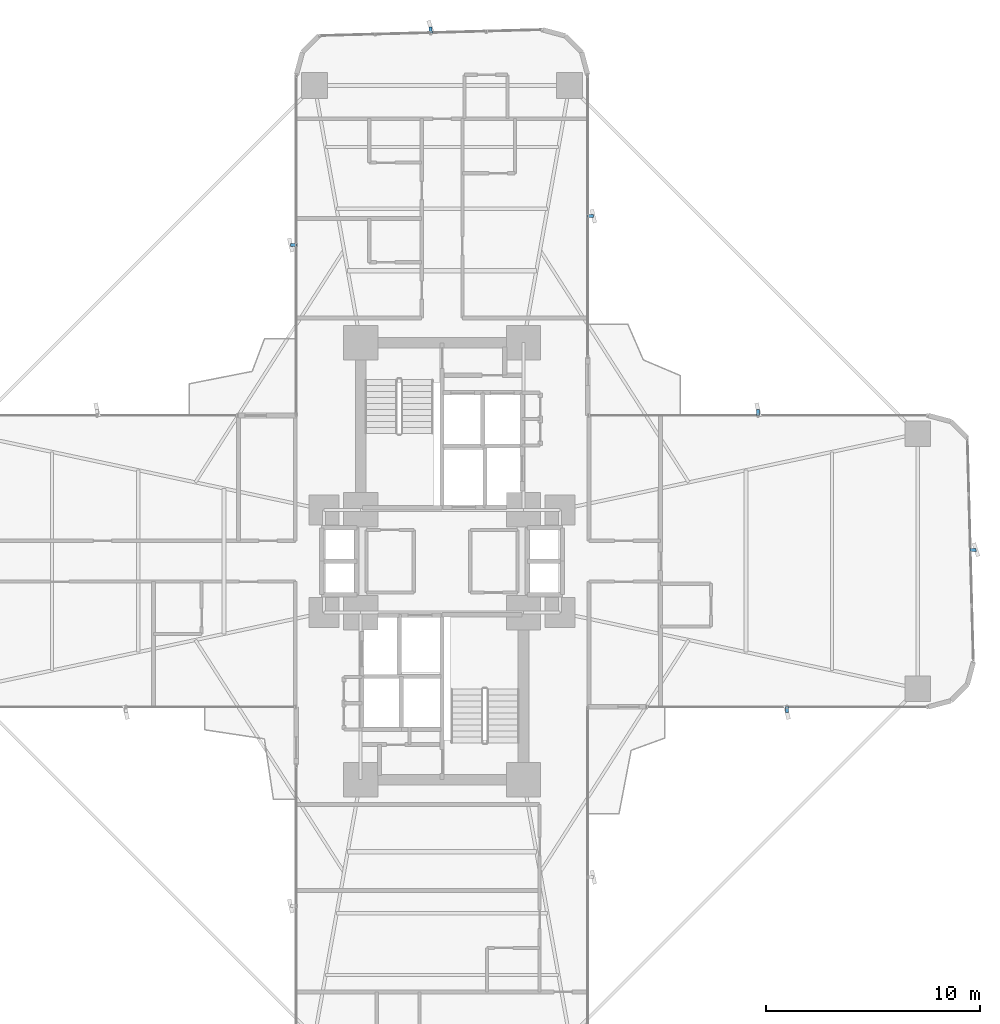
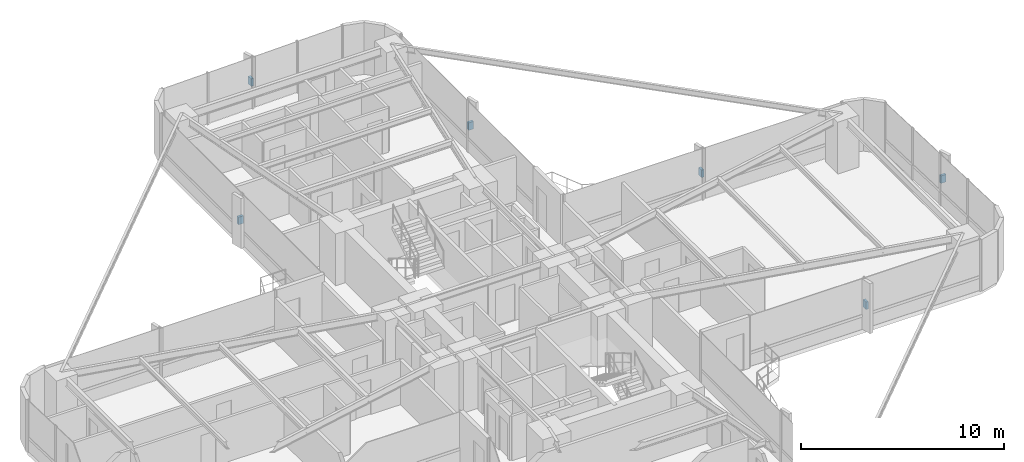
# One storey, part 25 of 26: 6 discrete accessories.
"""IFC4 building model written with IfcOpenShell, lengths in metres."""

from ifc_helpers import new_model, si_unit, direction, frame, origin, origin_2d, place, context, subcontext, project, spatial, rectangle, extrude, source, transform, mapped, material, type_object, element, save


model = new_model("IFC4")

# Units and contexts
model_context = context("Model", 3, precision=1e-05, world=origin(), true_north=direction((0.0, 1.0)))
body_context = subcontext(model_context, "Body", "Model", "MODEL_VIEW")
ifc_project = project(units=[si_unit("LENGTHUNIT", "METRE"), si_unit("AREAUNIT", "SQUARE_METRE"), si_unit("VOLUMEUNIT", "CUBIC_METRE"), si_unit("PLANEANGLEUNIT", "RADIAN"), si_unit("MASSUNIT", "GRAM", prefix="KILO")], contexts=[model_context])

# Site, building, storey
site_placement = place(None, origin())
site = spatial("IfcSite", under=ifc_project, at=site_placement, CompositionType="ELEMENT")
building_placement = place(site_placement, origin())
building = spatial("IfcBuilding", under=site, at=building_placement, Name="Sahyath Konkavel Grand Hotel", CompositionType="ELEMENT")
storey_placement = place(building_placement, frame((0.0, 0.0, 29.800048828125)))
storey = spatial("IfcBuildingStorey", under=building, at=storey_placement, Name="L07", CompositionType="ELEMENT", Elevation=29.800048828125)

# Discrete accessories
ifc_material = material(Name="Steel E350", Category="steel")
discrete_accessory_type = type_object("IfcDiscreteAccessoryType", Name="ACC-FIN-BRACKET", PredefinedType="BRACKET", material=ifc_material)
shared_shape = source(origin(), body_context, "Body", "SweptSolid", [
    extrude(rectangle(XDim=0.280029296875, YDim=0.139892578125, at=origin_2d()), origin(), (0.0, 0.0, 1.0), 0.449951171875),
])
for number, where, z_axis, x_axis, name in (
    (1, (16.10009765625, -6.929931640625, 1.330078125), (0.0, 0.0, 1.0), (0.0, -1.0, 0.0), "L07 Fin Support Bracket F0-1"),
    (2, (24.789306640625, 0.528564453125, 1.330078125), (0.0, 0.0, 1.0), (0.999637867691, 0.026909728301, 0.0), "L07 Fin Support Bracket F4-2"),
    (3, (14.75, 6.929931640625, 1.330078125), (0.0, 0.0, 1.0), (0.0, 1.0, 0.0), "L07 Fin Support Bracket F7-1"),
    (4, (6.929931640625, 16.10009765625, 1.330078125), (0.0, 0.0, 1.0), (1.0, 0.0, 0.0), "L07 Fin Support Bracket F8-1"),
    (5, (-0.528564453125, 24.789306640625, 1.330078125), (0.0, 0.0, 1.0), (-0.026909728301, 0.999637867691, 0.0), "L07 Fin Support Bracket F12-2"),
    (6, (-6.929931640625, 14.75, 1.330078125), (0.0, 0.0, 1.0), (-1.0, 0.0, 0.0), "L07 Fin Support Bracket F15-1"),
):
    element("IfcDiscreteAccessory", number, at=place(storey_placement, frame(where, z_axis=z_axis, x_axis=x_axis)), inside=storey, type_object=discrete_accessory_type, Name=name, PredefinedType="BRACKET", context=body_context, shape_type="MappedRepresentation", body=[
        mapped(shared_shape, transform((0.0, 0.0, 0.0), scale=1.0)),
    ])

save(model, "model.ifc")
